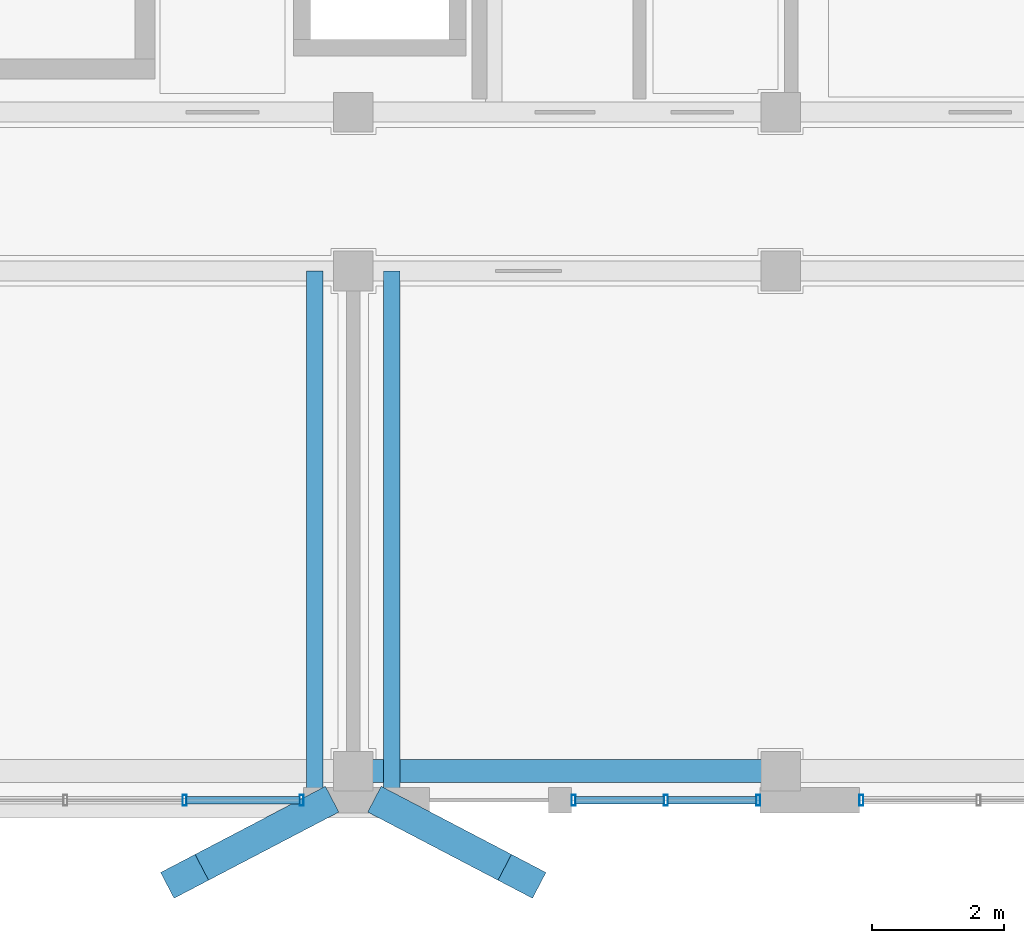
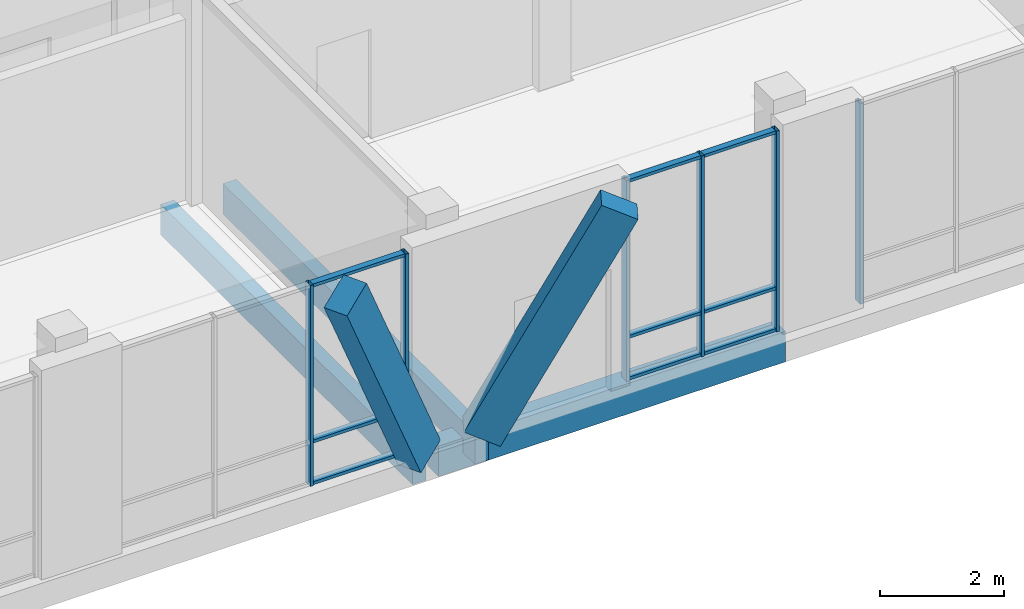
# One storey, part 35 of 233: 17 members, 3 beams, 3 elements without a shape of their own.
"""IFC4 building model written with IfcOpenShell, lengths in metres."""

from ifc_helpers import new_model, si_unit, direction, frame, origin, origin_2d, place, context, subcontext, project, spatial, rectangle, hollow_rectangle, extrude, material, material_profile, profile_set, type_object, element, aggregate, save


model = new_model("IFC4")

# Units and contexts
model_context = context("Model", 3, precision=1e-05, world=origin(), true_north=direction((0.0, 1.0)))
body_context = subcontext(model_context, "Body", "Model", "MODEL_VIEW")
ifc_project = project(units=[si_unit("LENGTHUNIT", "METRE"), si_unit("AREAUNIT", "SQUARE_METRE"), si_unit("VOLUMEUNIT", "CUBIC_METRE"), si_unit("PLANEANGLEUNIT", "RADIAN"), si_unit("MASSUNIT", "GRAM", prefix="KILO")], contexts=[model_context])

# Site, building, storey
site_placement = place(None, origin())
site = spatial("IfcSite", under=ifc_project, at=site_placement, CompositionType="ELEMENT")
building_placement = place(site_placement, origin())
building = spatial("IfcBuilding", under=site, at=building_placement, Name="Zavelmont Quarter", CompositionType="ELEMENT")
storey_placement = place(building_placement, origin())
storey = spatial("IfcBuildingStorey", under=building, at=storey_placement, Name="L00", CompositionType="ELEMENT", Elevation=0.0)

# Beams
ifc_material_1 = material(Name="Concrete C35/45", Category="concrete")
ifc_material_profile_1 = material_profile(ifc_material_1, rectangle(XDim=0.35009765625, YDim=0.60009765625, at=origin_2d()), Name="RC350X600")
ifc_profile_set_1 = profile_set([ifc_material_profile_1], Name="Concrete C35/45")
beam_type_1 = type_object("IfcBeamType", Name="BM01", PredefinedType="SPANDREL", material=ifc_profile_set_1)
beam_placement = place(storey_placement, frame((34.5, 0.43994140625, -0.6201171875), z_axis=(1.0, 0.0, 0.0), x_axis=(0.0, 1.0, 0.0)))
element("IfcBeam", 1, at=beam_placement, inside=storey, type_object=beam_type_1, Name="L00 beam BM01 6/A to 7/A", PredefinedType="SPANDREL", context=body_context, shape_type="SweptSolid", body=[
    extrude(rectangle(XDim=0.35009765625, YDim=0.60009765625, at=origin_2d()), origin(), (0.0, 0.0, 1.0), 6.4599609375),
])
ifc_material_2 = material(Name="Concrete C40/50", Category="concrete")
ifc_material_profile_2 = material_profile(ifc_material_2, rectangle(XDim=0.25, YDim=0.60009765625, at=origin_2d()), Name="RC250X600")
ifc_profile_set_2 = profile_set([ifc_material_profile_2], Name="Concrete C40/50")
beam_type_2 = type_object("IfcBeamType", Name="BM18", PredefinedType="BEAM", material=ifc_profile_set_2)
for number, where, z_axis, x_axis, name in (
    (2, (33.919921875, 8.0, -0.300048828125), (0.0, -1.0, 0.0), (1.0, 0.0, 0.0), "L00 beam BM18 6/B to 6/A"),
    (3, (35.080078125, 8.0, -0.300048828125), (0.0, -1.0, 0.0), (1.0, 0.0, 0.0), "L00 beam BM18 6/B to 6/A"),
):
    element("IfcBeam", number, at=place(storey_placement, frame(where, z_axis=z_axis, x_axis=x_axis)), inside=storey, type_object=beam_type_2, Name=name, PredefinedType="BEAM", context=body_context, shape_type="SweptSolid", body=[
        extrude(rectangle(XDim=0.25, YDim=0.60009765625, at=origin_2d()), origin(), (0.0, 0.0, 1.0), 8.1201171875),
    ])

# Curtain wall, members
ifc_material_3 = material(Name="Thermally broken aluminium and double low-E safety glazing", Category="aluminium")
curtain_wall_type_1 = type_object("IfcCurtainWallType", Name="CW-540X395", PredefinedType="NOTDEFINED", material=ifc_material_3)
curtain_wall_1_placement = place(storey_placement, origin())
curtain_wall_1 = element("IfcCurtainWall", 4, at=curtain_wall_1_placement, inside=storey, type_object=curtain_wall_type_1, Name="L00 unitised curtain wall CW-540X395", PredefinedType="NOTDEFINED")
ifc_material_4 = material(Name="Powder-coated aluminium EN AW-6063-T6", Category="aluminium")
ifc_material_profile_3 = material_profile(ifc_material_4, hollow_rectangle(XDim=0.06005859375, YDim=0.159912109375, WallThickness=0.00390625, at=origin_2d()), Name="CWM60X160")
ifc_profile_set_3 = profile_set([ifc_material_profile_3], Name="Powder-coated aluminium EN AW-6063-T6")
member_type_1 = type_object("IfcMemberType", Name="CWM01", PredefinedType="MULLION", material=ifc_profile_set_3)
member_1_placement = place(storey_placement, frame((31.949951171875, 0.0, 0.0), z_axis=(0.0, 0.0, 1.0), x_axis=(1.0, 0.0, 0.0)))
member_1 = element("IfcMember", 5, at=member_1_placement, type_object=member_type_1, Name="CW-540X395 mullion 3", PredefinedType="MULLION", context=body_context, shape_type="SweptSolid", body=[
    extrude(hollow_rectangle(XDim=0.06005859375, YDim=0.159912109375, WallThickness=0.00390625, at=origin_2d()), origin(), (0.0, 0.0, 1.0), 3.949951171875),
])
member_2_placement = place(storey_placement, frame((33.719970703125, 0.0, 0.0), z_axis=(0.0, 0.0, 1.0), x_axis=(1.0, 0.0, 0.0)))
member_2 = element("IfcMember", 6, at=member_2_placement, type_object=member_type_1, Name="CW-540X395 mullion 4", PredefinedType="MULLION", context=body_context, shape_type="SweptSolid", body=[
    extrude(hollow_rectangle(XDim=0.06005859375, YDim=0.159912109375, WallThickness=0.00390625, at=origin_2d()), origin(), (0.0, 0.0, 1.0), 3.949951171875),
])

curtain_wall_type_2 = type_object("IfcCurtainWallType", Name="CW-285X395", PredefinedType="NOTDEFINED", material=ifc_material_3)
curtain_wall_2_placement = place(storey_placement, origin())
curtain_wall_2 = element("IfcCurtainWall", 7, at=curtain_wall_2_placement, inside=storey, type_object=curtain_wall_type_2, Name="L00 unitised curtain wall CW-285X395", PredefinedType="NOTDEFINED")
member_3_placement = place(storey_placement, frame((37.830078125, 0.0, 0.0), z_axis=(0.0, 0.0, 1.0), x_axis=(1.0, 0.0, 0.0)))
member_3 = element("IfcMember", 8, at=member_3_placement, type_object=member_type_1, Name="CW-285X395 mullion 1", PredefinedType="MULLION", context=body_context, shape_type="SweptSolid", body=[
    extrude(hollow_rectangle(XDim=0.06005859375, YDim=0.159912109375, WallThickness=0.00390625, at=origin_2d()), origin(), (0.0, 0.0, 1.0), 3.949951171875),
])
member_4_placement = place(storey_placement, frame((39.22509765625, 0.0, 0.0), z_axis=(0.0, 0.0, 1.0), x_axis=(1.0, 0.0, 0.0)))
member_4 = element("IfcMember", 9, at=member_4_placement, type_object=member_type_1, Name="CW-285X395 mullion 2", PredefinedType="MULLION", context=body_context, shape_type="SweptSolid", body=[
    extrude(hollow_rectangle(XDim=0.06005859375, YDim=0.159912109375, WallThickness=0.00390625, at=origin_2d()), origin(), (0.0, 0.0, 1.0), 3.949951171875),
])
member_5_placement = place(storey_placement, frame((40.6201171875, 0.0, 0.0), z_axis=(0.0, 0.0, 1.0), x_axis=(1.0, 0.0, 0.0)))
member_5 = element("IfcMember", 10, at=member_5_placement, type_object=member_type_1, Name="CW-285X395 mullion 3", PredefinedType="MULLION", context=body_context, shape_type="SweptSolid", body=[
    extrude(hollow_rectangle(XDim=0.06005859375, YDim=0.159912109375, WallThickness=0.00390625, at=origin_2d()), origin(), (0.0, 0.0, 1.0), 3.949951171875),
])

# Curtain wall, member
curtain_wall_3_placement = place(storey_placement, origin())
curtain_wall_3 = element("IfcCurtainWall", 11, at=curtain_wall_3_placement, inside=storey, type_object=curtain_wall_type_1, Name="L00 unitised curtain wall CW-540X395", PredefinedType="NOTDEFINED")
member_6_placement = place(storey_placement, frame((42.179931640625, 0.0, 0.0), z_axis=(0.0, 0.0, 1.0), x_axis=(1.0, 0.0, 0.0)))
member_6 = element("IfcMember", 12, at=member_6_placement, type_object=member_type_1, Name="CW-540X395 mullion 1", PredefinedType="MULLION", context=body_context, shape_type="SweptSolid", body=[
    extrude(hollow_rectangle(XDim=0.06005859375, YDim=0.159912109375, WallThickness=0.00390625, at=origin_2d()), origin(), (0.0, 0.0, 1.0), 3.949951171875),
])
aggregate(curtain_wall_3, [member_6])

# Member
ifc_material_profile_4 = material_profile(ifc_material_4, hollow_rectangle(XDim=0.1201171875, YDim=0.06005859375, WallThickness=0.00390625, at=origin_2d()), Name="CWT60X120")
ifc_profile_set_4 = profile_set([ifc_material_profile_4], Name="Powder-coated aluminium EN AW-6063-T6")
member_type_2 = type_object("IfcMemberType", Name="CWT01", PredefinedType="NOTDEFINED", material=ifc_profile_set_4)
member_7_placement = place(storey_placement, frame((31.97998046875, 0.0, 0.030029296875), z_axis=(1.0, 0.0, 0.0), x_axis=(0.0, 1.0, 0.0)))
member_7 = element("IfcMember", 13, at=member_7_placement, type_object=member_type_2, Name="CW-540X395 transom 3.1", ObjectType="TRANSOM", PredefinedType="USERDEFINED", context=body_context, shape_type="SweptSolid", body=[
    extrude(hollow_rectangle(XDim=0.1201171875, YDim=0.06005859375, WallThickness=0.00390625, at=origin_2d()), origin(), (0.0, 0.0, 1.0), 1.7099609375),
])

member_8_placement = place(storey_placement, frame((31.97998046875, 0.0, 0.85009765625), z_axis=(1.0, 0.0, 0.0), x_axis=(0.0, 1.0, 0.0)))
member_8 = element("IfcMember", 14, at=member_8_placement, type_object=member_type_2, Name="CW-540X395 transom 3.2", ObjectType="TRANSOM", PredefinedType="USERDEFINED", context=body_context, shape_type="SweptSolid", body=[
    extrude(hollow_rectangle(XDim=0.1201171875, YDim=0.06005859375, WallThickness=0.00390625, at=origin_2d()), origin(), (0.0, 0.0, 1.0), 1.7099609375),
])

member_9_placement = place(storey_placement, frame((31.97998046875, 0.0, 3.919921875), z_axis=(1.0, 0.0, 0.0), x_axis=(0.0, 1.0, 0.0)))
member_9 = element("IfcMember", 15, at=member_9_placement, type_object=member_type_2, Name="CW-540X395 transom 3.3", ObjectType="TRANSOM", PredefinedType="USERDEFINED", context=body_context, shape_type="SweptSolid", body=[
    extrude(hollow_rectangle(XDim=0.1201171875, YDim=0.06005859375, WallThickness=0.00390625, at=origin_2d()), origin(), (0.0, 0.0, 1.0), 1.7099609375),
])

aggregate(curtain_wall_1, [member_1, member_2, member_7, member_8, member_9])

member_10_placement = place(storey_placement, frame((37.860107421875, 0.0, 0.030029296875), z_axis=(1.0, 0.0, 0.0), x_axis=(0.0, 1.0, 0.0)))
member_10 = element("IfcMember", 16, at=member_10_placement, type_object=member_type_2, Name="CW-285X395 transom 1.1", ObjectType="TRANSOM", PredefinedType="USERDEFINED", context=body_context, shape_type="SweptSolid", body=[
    extrude(hollow_rectangle(XDim=0.1201171875, YDim=0.06005859375, WallThickness=0.00390625, at=origin_2d()), origin(), (0.0, 0.0, 1.0), 1.3349609375),
])

member_11_placement = place(storey_placement, frame((37.860107421875, 0.0, 0.85009765625), z_axis=(1.0, 0.0, 0.0), x_axis=(0.0, 1.0, 0.0)))
member_11 = element("IfcMember", 17, at=member_11_placement, type_object=member_type_2, Name="CW-285X395 transom 1.2", ObjectType="TRANSOM", PredefinedType="USERDEFINED", context=body_context, shape_type="SweptSolid", body=[
    extrude(hollow_rectangle(XDim=0.1201171875, YDim=0.06005859375, WallThickness=0.00390625, at=origin_2d()), origin(), (0.0, 0.0, 1.0), 1.3349609375),
])

member_12_placement = place(storey_placement, frame((37.860107421875, 0.0, 3.919921875), z_axis=(1.0, 0.0, 0.0), x_axis=(0.0, 1.0, 0.0)))
member_12 = element("IfcMember", 18, at=member_12_placement, type_object=member_type_2, Name="CW-285X395 transom 1.3", ObjectType="TRANSOM", PredefinedType="USERDEFINED", context=body_context, shape_type="SweptSolid", body=[
    extrude(hollow_rectangle(XDim=0.1201171875, YDim=0.06005859375, WallThickness=0.00390625, at=origin_2d()), origin(), (0.0, 0.0, 1.0), 1.3349609375),
])

member_13_placement = place(storey_placement, frame((39.2548828125, 0.0, 0.030029296875), z_axis=(1.0, 0.0, 0.0), x_axis=(0.0, 1.0, 0.0)))
member_13 = element("IfcMember", 19, at=member_13_placement, type_object=member_type_2, Name="CW-285X395 transom 2.1", ObjectType="TRANSOM", PredefinedType="USERDEFINED", context=body_context, shape_type="SweptSolid", body=[
    extrude(hollow_rectangle(XDim=0.1201171875, YDim=0.06005859375, WallThickness=0.00390625, at=origin_2d()), origin(), (0.0, 0.0, 1.0), 1.335205078125),
])

member_14_placement = place(storey_placement, frame((39.2548828125, 0.0, 0.85009765625), z_axis=(1.0, 0.0, 0.0), x_axis=(0.0, 1.0, 0.0)))
member_14 = element("IfcMember", 20, at=member_14_placement, type_object=member_type_2, Name="CW-285X395 transom 2.2", ObjectType="TRANSOM", PredefinedType="USERDEFINED", context=body_context, shape_type="SweptSolid", body=[
    extrude(hollow_rectangle(XDim=0.1201171875, YDim=0.06005859375, WallThickness=0.00390625, at=origin_2d()), origin(), (0.0, 0.0, 1.0), 1.335205078125),
])

member_15_placement = place(storey_placement, frame((39.2548828125, 0.0, 3.919921875), z_axis=(1.0, 0.0, 0.0), x_axis=(0.0, 1.0, 0.0)))
member_15 = element("IfcMember", 21, at=member_15_placement, type_object=member_type_2, Name="CW-285X395 transom 2.3", ObjectType="TRANSOM", PredefinedType="USERDEFINED", context=body_context, shape_type="SweptSolid", body=[
    extrude(hollow_rectangle(XDim=0.1201171875, YDim=0.06005859375, WallThickness=0.00390625, at=origin_2d()), origin(), (0.0, 0.0, 1.0), 1.335205078125),
])

aggregate(curtain_wall_2, [member_3, member_4, member_5, member_10, member_11, member_12, member_13, member_14, member_15])

# Members
ifc_material_5 = material(Name="White architectural precast concrete C40/50", Category="concrete")
ifc_material_profile_5 = material_profile(ifc_material_5, rectangle(XDim=0.43994140625, YDim=0.659912109375, at=origin_2d()), Name="PCR320X480")
ifc_profile_set_5 = profile_set([ifc_material_profile_5], Name="White architectural precast concrete C40/50")
member_type_3 = type_object("IfcMemberType", Name="VR01M", PredefinedType="CHORD", material=ifc_profile_set_5)
for number, where, z_axis, x_axis, name in (
    (22, (33.919921875, -0.1201171875, 0.0), (-0.399542278656, -0.208909053102, 0.89259339853), (0.463354209265, -0.886173164092, 0.0), "L00 member VR01M 6/A to 6/A"),
    (23, (35.080078125, -0.1201171875, 0.0), (0.399542278656, -0.208909053102, 0.89259339853), (0.463354209265, 0.886173164092, 0.0), "L00 member VR01M 6/A to 6/A"),
):
    element("IfcMember", number, at=place(storey_placement, frame(where, z_axis=z_axis, x_axis=x_axis)), inside=storey, type_object=member_type_3, Name=name, PredefinedType="CHORD", context=body_context, shape_type="SweptSolid", body=[
        extrude(rectangle(XDim=0.43994140625, YDim=0.659912109375, at=origin_2d()), origin(), (0.0, 0.0, 1.0), 4.929443359375),
    ])

save(model, "model.ifc")
